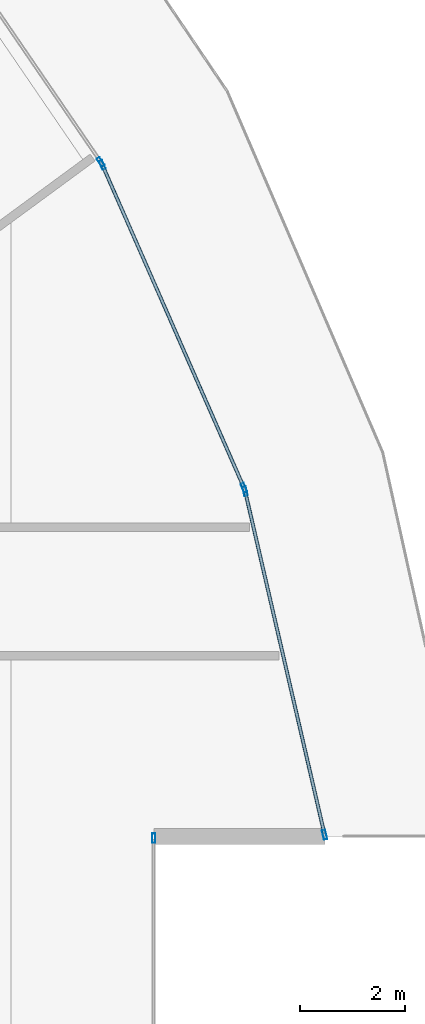
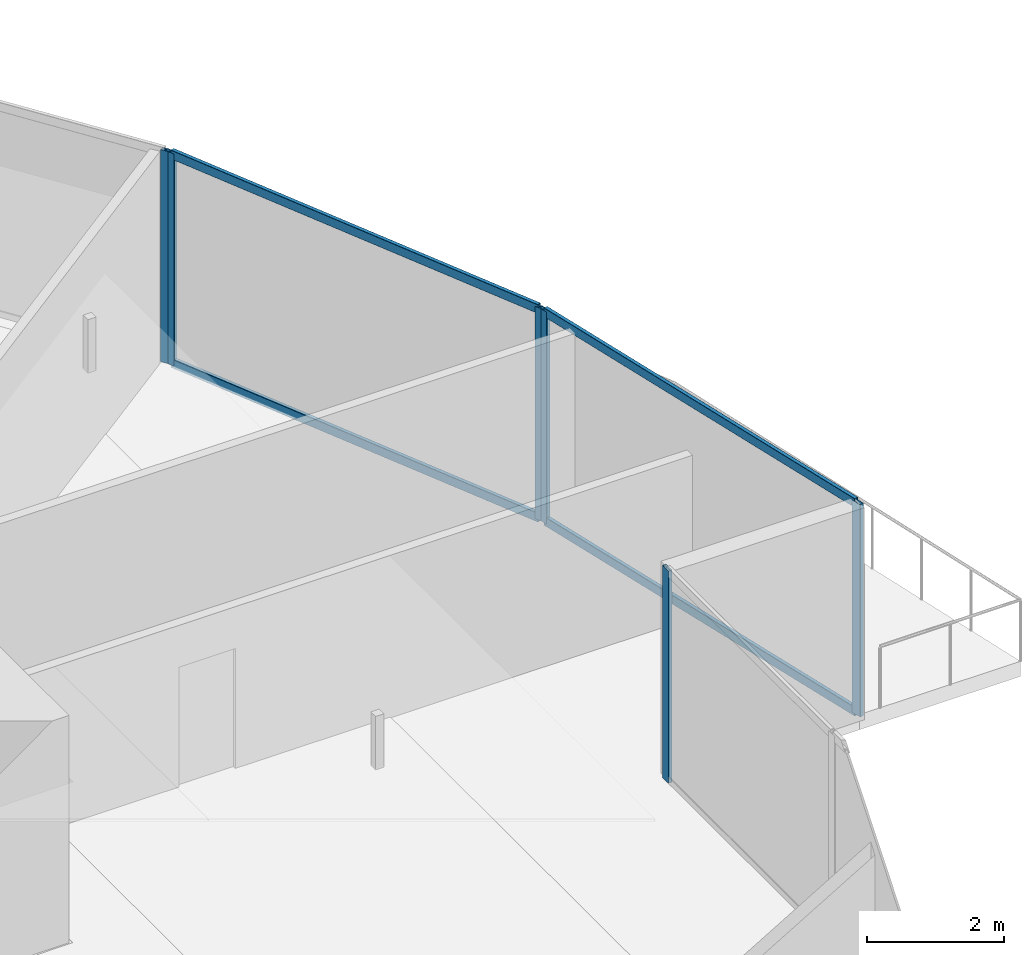
# One storey, part 20 of 40: 10 members, 4 elements without a shape of their own.
"""IFC4 building model written with IfcOpenShell, lengths in metres."""

from ifc_helpers import new_model, si_unit, direction, frame, origin, origin_2d, place, context, subcontext, project, spatial, hollow_rectangle, extrude, material, layer, layer_set, material_profile, profile_set, type_object, element, aggregate, save


model = new_model("IFC4")

# Units and contexts
model_context = context("Model", 3, precision=1e-05, world=origin(), true_north=direction((0.0, 1.0)))
body_context = subcontext(model_context, "Body", "Model", "MODEL_VIEW")
ifc_project = project(units=[si_unit("LENGTHUNIT", "METRE"), si_unit("AREAUNIT", "SQUARE_METRE"), si_unit("VOLUMEUNIT", "CUBIC_METRE"), si_unit("PLANEANGLEUNIT", "RADIAN"), si_unit("MASSUNIT", "GRAM", prefix="KILO")], contexts=[model_context])

# Site, building, storey
site_placement = place(None, origin())
site = spatial("IfcSite", under=ifc_project, at=site_placement, CompositionType="ELEMENT")
building_placement = place(site_placement, origin())
building = spatial("IfcBuilding", under=site, at=building_placement, Name="Qorvath Tower", CompositionType="ELEMENT")
storey_placement = place(building_placement, frame((0.0, 0.0, 138.14990234375)))
storey = spatial("IfcBuildingStorey", under=building, at=storey_placement, Name="L31", CompositionType="ELEMENT", Elevation=138.14990234375)

# Curtain wall, member
ifc_material_1 = material(Name="Anodised aluminium and triple low-E glass", Category="aluminium")
ifc_layer = layer(ifc_material_1, 0.179931640625)
ifc_layer_set = layer_set([ifc_layer], Name="CW-SYS-3")
curtain_wall_type = type_object("IfcCurtainWallType", Name="CW-SYS-3", PredefinedType="NOTDEFINED", material=ifc_layer_set)
curtain_wall_1_placement = place(storey_placement, origin())
curtain_wall_1 = element("IfcCurtainWall", 1, at=curtain_wall_1_placement, inside=storey, type_object=curtain_wall_type, Name="Curtain Wall CW-3 CW-T-L31-9.1", PredefinedType="NOTDEFINED")
ifc_material_2 = material(Name="Anodised aluminium 6063-T6", Category="aluminium")
ifc_material_profile_1 = material_profile(ifc_material_2, hollow_rectangle(XDim=0.06494140625, YDim=0.179931640625, WallThickness=0.00341796875, InnerFilletRadius=0.00341796875, OuterFilletRadius=0.007080078125, at=origin_2d()), Name="CWM 180x65")
ifc_profile_set_1 = profile_set([ifc_material_profile_1], Name="Anodised aluminium 6063-T6")
member_type_1 = type_object("IfcMemberType", Name="CWM-180", PredefinedType="MULLION", material=ifc_profile_set_1)
member_1_placement = place(storey_placement, frame((0.86328125, 4.84912109375, 0.0), z_axis=(0.0, 0.0, 1.0), x_axis=(-1.0, 0.0, 0.0)))
member_1 = element("IfcMember", 2, at=member_1_placement, type_object=member_type_1, Name="CW-3 mullion 3", PredefinedType="MULLION", context=body_context, shape_type="SweptSolid", body=[
    extrude(hollow_rectangle(XDim=0.06494140625, YDim=0.179931640625, WallThickness=0.00341796875, InnerFilletRadius=0.00341796875, OuterFilletRadius=0.007080078125, at=origin_2d()), origin(), (0.0, 0.0, 1.0), 3.780029296875),
])
aggregate(curtain_wall_1, [member_1])

# Curtain wall, members
curtain_wall_2_placement = place(storey_placement, origin())
curtain_wall_2 = element("IfcCurtainWall", 3, at=curtain_wall_2_placement, inside=storey, type_object=curtain_wall_type, Name="Curtain Wall CW-3 CW-T-L31-11.1", PredefinedType="NOTDEFINED")
member_2_placement = place(storey_placement, frame((4.1103515625, 4.913330078125, 0.0), z_axis=(0.0, 0.0, 1.0), x_axis=(-0.974262314004, -0.225417265338, 0.0)))
member_2 = element("IfcMember", 4, at=member_2_placement, type_object=member_type_1, Name="CW-3 mullion 1", PredefinedType="MULLION", context=body_context, shape_type="SweptSolid", body=[
    extrude(hollow_rectangle(XDim=0.06494140625, YDim=0.179931640625, WallThickness=0.00341796875, InnerFilletRadius=0.00341796875, OuterFilletRadius=0.007080078125, at=origin_2d()), origin(), (0.0, 0.0, 1.0), 3.780029296875),
])
member_3_placement = place(storey_placement, frame((2.59912109375, 11.44482421875, 0.0), z_axis=(0.0, 0.0, 1.0), x_axis=(-0.974262314004, -0.225417265338, 0.0)))
member_3 = element("IfcMember", 5, at=member_3_placement, type_object=member_type_1, Name="CW-3 mullion 2", PredefinedType="MULLION", context=body_context, shape_type="SweptSolid", body=[
    extrude(hollow_rectangle(XDim=0.06494140625, YDim=0.179931640625, WallThickness=0.00341796875, InnerFilletRadius=0.00341796875, OuterFilletRadius=0.007080078125, at=origin_2d()), origin(), (0.0, 0.0, 1.0), 3.780029296875),
])

curtain_wall_3_placement = place(storey_placement, origin())
curtain_wall_3 = element("IfcCurtainWall", 6, at=curtain_wall_3_placement, inside=storey, type_object=curtain_wall_type, Name="Curtain Wall CW-3 CW-T-L31-12.1", PredefinedType="NOTDEFINED")
member_4_placement = place(storey_placement, frame((2.578857421875, 11.50634765625, 0.0), z_axis=(0.0, 0.0, 1.0), x_axis=(-0.915735385605, -0.401781910433, 0.0)))
member_4 = element("IfcMember", 7, at=member_4_placement, type_object=member_type_1, Name="CW-3 mullion 1", PredefinedType="MULLION", context=body_context, shape_type="SweptSolid", body=[
    extrude(hollow_rectangle(XDim=0.06494140625, YDim=0.179931640625, WallThickness=0.00341796875, InnerFilletRadius=0.00341796875, OuterFilletRadius=0.007080078125, at=origin_2d()), origin(), (0.0, 0.0, 1.0), 3.780029296875),
])
member_5_placement = place(storey_placement, frame((-0.11474609375, 17.6455078125, 0.0), z_axis=(0.0, 0.0, 1.0), x_axis=(-0.915735385605, -0.401781910433, 0.0)))
member_5 = element("IfcMember", 8, at=member_5_placement, type_object=member_type_1, Name="CW-3 mullion 2", PredefinedType="MULLION", context=body_context, shape_type="SweptSolid", body=[
    extrude(hollow_rectangle(XDim=0.06494140625, YDim=0.179931640625, WallThickness=0.00341796875, InnerFilletRadius=0.00341796875, OuterFilletRadius=0.007080078125, at=origin_2d()), origin(), (0.0, 0.0, 1.0), 3.780029296875),
])

# Curtain wall, member
curtain_wall_4_placement = place(storey_placement, origin())
curtain_wall_4 = element("IfcCurtainWall", 9, at=curtain_wall_4_placement, inside=storey, type_object=curtain_wall_type, Name="Curtain Wall CW-3 CW-T-L31-13.1", PredefinedType="NOTDEFINED")
member_6_placement = place(storey_placement, frame((-0.146240234375, 17.7021484375, 0.0), z_axis=(0.0, 0.0, 1.0), x_axis=(-0.825622735214, -0.56422256167, 0.0)))
member_6 = element("IfcMember", 10, at=member_6_placement, type_object=member_type_1, Name="CW-3 mullion 1", PredefinedType="MULLION", context=body_context, shape_type="SweptSolid", body=[
    extrude(hollow_rectangle(XDim=0.06494140625, YDim=0.179931640625, WallThickness=0.00341796875, InnerFilletRadius=0.00341796875, OuterFilletRadius=0.007080078125, at=origin_2d()), origin(), (0.0, 0.0, 1.0), 3.780029296875),
])
aggregate(curtain_wall_4, [member_6])

# Member
ifc_material_3 = material(Name="Anodised aluminium 6063-T6", Category="aluminium")
ifc_material_profile_2 = material_profile(ifc_material_3, hollow_rectangle(XDim=0.06494140625, YDim=0.159912109375, WallThickness=0.00341796875, InnerFilletRadius=0.00341796875, OuterFilletRadius=0.007080078125, at=origin_2d()), Name="CWT 160x65")
ifc_profile_set_2 = profile_set([ifc_material_profile_2], Name="Anodised aluminium 6063-T6")
member_type_2 = type_object("IfcMemberType", Name="CWT-160", PredefinedType="USERDEFINED", material=ifc_profile_set_2)
member_7_placement = place(storey_placement, frame((4.10302734375, 4.94482421875, 0.032470703125), z_axis=(-0.225410012151, 0.974263992161, 0.0), x_axis=(-0.974263992161, -0.225410012151, 0.0)))
member_7 = element("IfcMember", 11, at=member_7_placement, type_object=member_type_2, Name="CW-3 transom 1.1", ObjectType="TRANSOM", PredefinedType="USERDEFINED", context=body_context, shape_type="SweptSolid", body=[
    extrude(hollow_rectangle(XDim=0.06494140625, YDim=0.159912109375, WallThickness=0.00341796875, InnerFilletRadius=0.00341796875, OuterFilletRadius=0.007080078125, at=origin_2d()), origin(), (0.0, 0.0, 1.0), 6.639404296875),
])

member_8_placement = place(storey_placement, frame((4.10302734375, 4.94482421875, 3.74755859375), z_axis=(-0.225410012151, 0.974263992161, 0.0), x_axis=(-0.974263992161, -0.225410012151, 0.0)))
member_8 = element("IfcMember", 12, at=member_8_placement, type_object=member_type_2, Name="CW-3 transom 1.2", ObjectType="TRANSOM", PredefinedType="USERDEFINED", context=body_context, shape_type="SweptSolid", body=[
    extrude(hollow_rectangle(XDim=0.06494140625, YDim=0.159912109375, WallThickness=0.00341796875, InnerFilletRadius=0.00341796875, OuterFilletRadius=0.007080078125, at=origin_2d()), origin(), (0.0, 0.0, 1.0), 6.639404296875),
])

aggregate(curtain_wall_2, [member_2, member_3, member_7, member_8])

member_9_placement = place(storey_placement, frame((2.565673828125, 11.5361328125, 0.032470703125), z_axis=(-0.401787018537, 0.91573314439, 0.0), x_axis=(-0.91573314439, -0.401787018537, 0.0)))
member_9 = element("IfcMember", 13, at=member_9_placement, type_object=member_type_2, Name="CW-3 transom 1.1", ObjectType="TRANSOM", PredefinedType="USERDEFINED", context=body_context, shape_type="SweptSolid", body=[
    extrude(hollow_rectangle(XDim=0.06494140625, YDim=0.159912109375, WallThickness=0.00341796875, InnerFilletRadius=0.00341796875, OuterFilletRadius=0.007080078125, at=origin_2d()), origin(), (0.0, 0.0, 1.0), 6.63916015625),
])

member_10_placement = place(storey_placement, frame((2.565673828125, 11.5361328125, 3.74755859375), z_axis=(-0.401787018537, 0.91573314439, 0.0), x_axis=(-0.91573314439, -0.401787018537, 0.0)))
member_10 = element("IfcMember", 14, at=member_10_placement, type_object=member_type_2, Name="CW-3 transom 1.2", ObjectType="TRANSOM", PredefinedType="USERDEFINED", context=body_context, shape_type="SweptSolid", body=[
    extrude(hollow_rectangle(XDim=0.06494140625, YDim=0.159912109375, WallThickness=0.00341796875, InnerFilletRadius=0.00341796875, OuterFilletRadius=0.007080078125, at=origin_2d()), origin(), (0.0, 0.0, 1.0), 6.63916015625),
])

aggregate(curtain_wall_3, [member_4, member_5, member_9, member_10])

save(model, "model.ifc")
